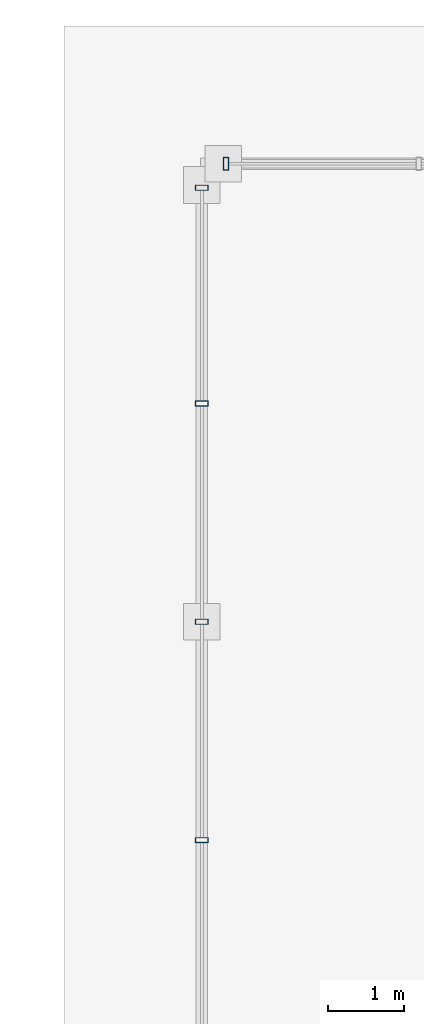
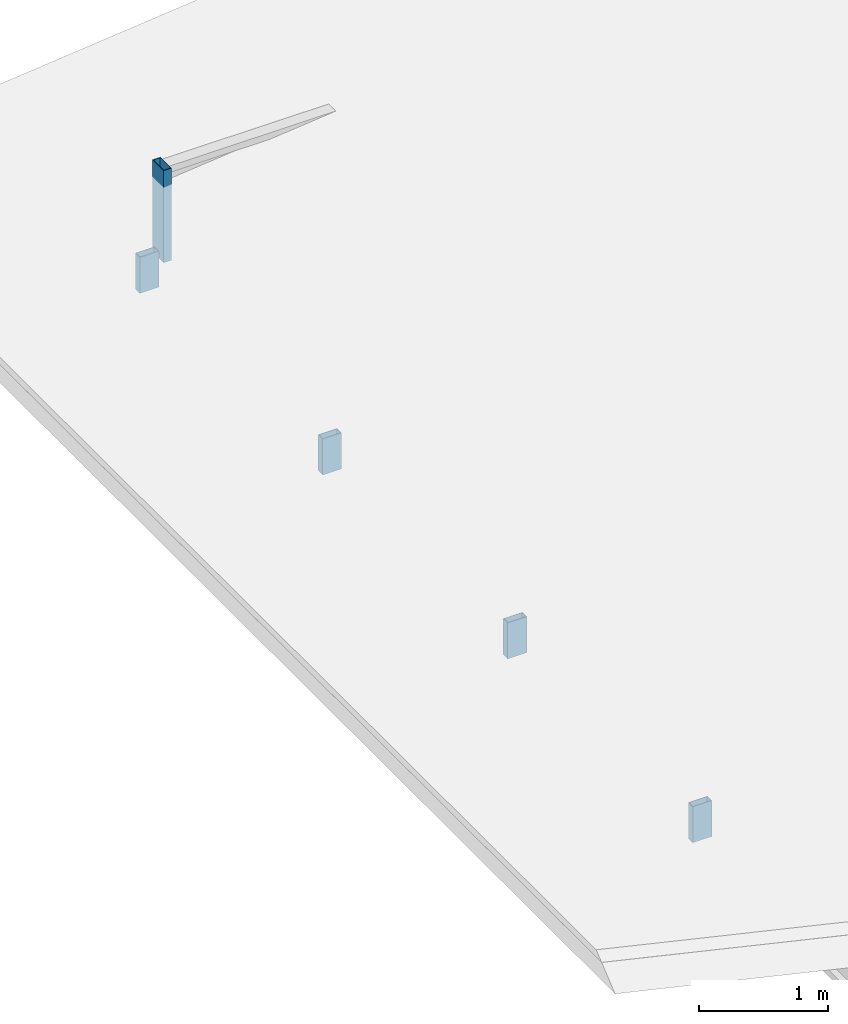
# One storey, part 78 of 117: 5 members, 2 elements without a shape of their own.
"""IFC4 building model written with IfcOpenShell, lengths in metres."""

import ifcopenshell
import ifcopenshell.guid

model = None  # the IFC model being written
_history = None  # IfcOwnerHistory: only IFC2X3 demands one
_inside = {}  # id of a spatial element -> (the spatial element, [elements in it])
_under = {}  # id of a project, library or spatial element -> (it, [spatial elements below it])
_declared = {}  # id of a project -> (the project, [libraries it declares])
_typed = {}  # id of a type object -> (the type object, [elements of that type])
_made_of = {}  # id of a material, layer set ... -> (it, [elements and type objects made of it])


def new_model(schema):
    """Start an empty IFC model of exactly this schema.

    Asked for "IFC4X3", IfcOpenShell would pick the latest addendum, in which some entities
    have other attributes; the version numbers below select the first issue.
    IFC2X3 requires an IfcOwnerHistory on every rooted entity: one is made here for all.
    """
    global model, _history
    if schema == "IFC4X3":
        model = ifcopenshell.file(schema_version=(4, 3, 0, 0))
    else:
        model = ifcopenshell.file(schema=schema)
    _inside.clear()
    _under.clear()
    _declared.clear()
    _typed.clear()
    _made_of.clear()
    _history = None
    if model.schema == "IFC2X3":
        org = make("IfcOrganization", Name="unknown")
        user = make(
            "IfcPersonAndOrganization",
            ThePerson=make("IfcPerson", FamilyName="unknown"),
            TheOrganization=org,
        )
        app = make(
            "IfcApplication",
            ApplicationDeveloper=org,
            Version="unknown",
            ApplicationFullName="unknown",
            ApplicationIdentifier="unknown",
        )
        _history = make(
            "IfcOwnerHistory",
            OwningUser=user,
            OwningApplication=app,
            ChangeAction="ADDED",
            CreationDate=0,
        )
    return model


def make(cls, **values):
    """One entity of the class cls with the attributes given. An attribute that is None is left unset."""
    return model.create_entity(
        cls, **{name: value for name, value in values.items() if value is not None}
    )


def rooted(cls, **values):
    """An entity with a GlobalId (a new one), such as an element, a storey or a relation."""
    return make(cls, GlobalId=ifcopenshell.guid.new(), OwnerHistory=_history, **values)


def si_unit(unit_type, name, prefix=None):
    """IfcSIUnit, for example si_unit("LENGTHUNIT", "METRE", prefix="MILLI")."""
    return make("IfcSIUnit", UnitType=unit_type, Prefix=prefix, Name=name)


def assignment(units):
    """IfcUnitAssignment: the units of a project."""
    return None if units is None else make("IfcUnitAssignment", Units=units)


def point(xyz):
    """IfcCartesianPoint."""
    return None if xyz is None else make("IfcCartesianPoint", Coordinates=xyz)


def direction(xyz):
    """IfcDirection."""
    return None if xyz is None else make("IfcDirection", DirectionRatios=xyz)


def frame(location, z_axis=None, x_axis=None):
    """IfcAxis2Placement3D, a coordinate frame: its origin and axes. An axis left out is left unset."""
    return make(
        "IfcAxis2Placement3D",
        Location=point(location),
        Axis=direction(z_axis),
        RefDirection=direction(x_axis),
    )


def frame_2d(location, x_axis=None):
    """IfcAxis2Placement2D, a coordinate frame in the plane: its origin and x axis."""
    return make(
        "IfcAxis2Placement2D", Location=point(location), RefDirection=direction(x_axis)
    )


def origin():
    """The frame at (0, 0, 0) with its axes left unset."""
    return frame((0.0, 0.0, 0.0))


def origin_2d():
    """The frame at (0, 0) in the plane with its x axis left unset."""
    return frame_2d((0.0, 0.0))


def place(relative_to, where):
    """IfcLocalPlacement: puts the frame where relative to a parent placement (None: the world)."""
    return make(
        "IfcLocalPlacement", PlacementRelTo=relative_to, RelativePlacement=where
    )


def context(
    kind, dimensions, precision=None, world=None, true_north=None, identifier=None
):
    """IfcGeometricRepresentationContext, for example the 3D "Model" context."""
    return make(
        "IfcGeometricRepresentationContext",
        ContextIdentifier=identifier,
        ContextType=kind,
        CoordinateSpaceDimension=dimensions,
        Precision=precision,
        WorldCoordinateSystem=world,
        TrueNorth=true_north,
    )


def subcontext(parent, identifier, kind, view, scale=None):
    """IfcGeometricRepresentationSubContext, for example "Body" below "Model"."""
    return make(
        "IfcGeometricRepresentationSubContext",
        ContextIdentifier=identifier,
        ContextType=kind,
        ParentContext=parent,
        TargetScale=scale,
        TargetView=view,
    )


def project(units=None, contexts=None):
    """IfcProject with its units and contexts."""
    return rooted(
        "IfcProject",
        Name="project",
        RepresentationContexts=contexts,
        UnitsInContext=assignment(units),
    )


def spatial(cls, under=None, at=None, **own):
    """A site, building, storey or space (cls), placed at a placement, below another one or the project."""
    s = rooted(cls, ObjectPlacement=at, **own)
    if under is not None:
        _under.setdefault(under.id(), (under, []))[1].append(s)
    return s


def profile(cls, at=None, kind="AREA", **sizes):
    """A parametric profile (cls). Its sizes go by their IFC names, for example OverallWidth=200.0."""
    return make(cls, ProfileType=kind, Position=at, **sizes)


def hollow_rectangle(**sizes):
    """IfcRectangleHollowProfileDef."""
    return profile("IfcRectangleHollowProfileDef", **sizes)


def extrude(swept, where, along, depth):
    """IfcExtrudedAreaSolid: the profile swept, set in the frame where, extruded along a direction by depth."""
    return make(
        "IfcExtrudedAreaSolid",
        SweptArea=swept,
        Position=where,
        ExtrudedDirection=direction(along),
        Depth=depth,
    )


def shape(context_of_items, identifier, shape_type, items):
    """IfcShapeRepresentation: the items that make up one representation, for example the "Body"."""
    return make(
        "IfcShapeRepresentation",
        ContextOfItems=context_of_items,
        RepresentationIdentifier=identifier,
        RepresentationType=shape_type,
        Items=items,
    )


def material(Name=None, Category=None):
    """IfcMaterial."""
    return make("IfcMaterial", Name=Name, Category=Category)


def material_profile(
    of_material, cross_section, Name=None, Category=None, Priority=None
):
    """IfcMaterialProfile: a cross section and its material."""
    return make(
        "IfcMaterialProfile",
        Name=Name,
        Material=of_material,
        Profile=cross_section,
        Priority=Priority,
        Category=Category,
    )


def profile_set(profiles, Name=None, composite=None):
    """IfcMaterialProfileSet."""
    return make(
        "IfcMaterialProfileSet",
        Name=Name,
        MaterialProfiles=profiles,
        CompositeProfile=composite,
    )


def made_of(thing, what):
    """Note that an element or type object is made of a material, layer set ...; save() writes the relation."""
    if what is not None:
        _made_of.setdefault(what.id(), (what, []))[1].append(thing)
    return thing


def type_object(cls, material=None, **own):
    """A type object (cls), such as IfcWallType, which elements share."""
    return made_of(rooted(cls, **own), material)


def element(
    cls,
    number,
    at=None,
    inside=None,
    cuts=None,
    type_object=None,
    material=None,
    context=None,
    identifier="Body",
    shape_type=None,
    held_by="IfcProductDefinitionShape",
    body=None,
    shapes=None,
    **own,
):
    """One element of the class cls, such as IfcWall. Its Tag is "e" and its number.

    at: its placement. inside: the storey or other place that contains it. cuts: it is an
    opening in that element (IfcRelVoidsElement). A single representation is given by context,
    identifier, shape_type and body (its items); several are given by shapes. held_by: the class
    of the entity that holds the representations. save() writes the other relations.
    """
    e = rooted(cls, Tag="e%d" % number, ObjectPlacement=at, **own)
    if body is not None:
        shapes = [shape(context, identifier, shape_type, body)]
    if shapes is not None:
        e.Representation = make(held_by, Representations=shapes)
    if inside is not None:
        _inside.setdefault(inside.id(), (inside, []))[1].append(e)
    if cuts is not None:
        rooted(
            "IfcRelVoidsElement", RelatingBuildingElement=cuts, RelatedOpeningElement=e
        )
    if type_object is not None:
        _typed.setdefault(type_object.id(), (type_object, []))[1].append(e)
    return made_of(e, material)


def aggregate(whole, parts):
    """IfcRelAggregates: a whole, such as a stair, and the parts it consists of."""
    return rooted("IfcRelAggregates", RelatingObject=whole, RelatedObjects=parts)


def save(model, path):
    """Write the relations noted so far, then the file.

    IfcRelAggregates (storeys below a building ...), IfcRelContainedInSpatialStructure (elements
    in a storey), IfcRelDefinesByType, IfcRelAssociatesMaterial and IfcRelDeclares: one each for
    every whole, place, type object, material and project.
    """
    for whole, parts in _under.values():
        aggregate(whole, parts)
    for where, things in _inside.values():
        rooted(
            "IfcRelContainedInSpatialStructure",
            RelatedElements=things,
            RelatingStructure=where,
        )
    for kind, things in _typed.values():
        rooted("IfcRelDefinesByType", RelatedObjects=things, RelatingType=kind)
    for what, things in _made_of.values():
        rooted("IfcRelAssociatesMaterial", RelatedObjects=things, RelatingMaterial=what)
    for by, libraries in _declared.values():
        rooted("IfcRelDeclares", RelatingContext=by, RelatedDefinitions=libraries)
    model.write(path)


model = new_model("IFC4")

# Units and contexts
model_context = context("Model", 3, precision=1e-05, world=origin(), true_north=direction((0.0, 1.0)))
body_context = subcontext(model_context, "Body", "Model", "MODEL_VIEW")
ifc_project = project(units=[si_unit("LENGTHUNIT", "METRE"), si_unit("AREAUNIT", "SQUARE_METRE"), si_unit("VOLUMEUNIT", "CUBIC_METRE"), si_unit("PLANEANGLEUNIT", "RADIAN"), si_unit("MASSUNIT", "GRAM", prefix="KILO")], contexts=[model_context])

# Site, building, storey
site_placement = place(None, origin())
site = spatial("IfcSite", under=ifc_project, at=site_placement, CompositionType="ELEMENT")
building_placement = place(site_placement, origin())
building = spatial("IfcBuilding", under=site, at=building_placement, Name="Merenkruunu Market Hall", CompositionType="ELEMENT")
storey_placement = place(building_placement, frame((0.0, 0.0, 22.800048828125)))
storey = spatial("IfcBuildingStorey", under=building, at=storey_placement, Name="RF", CompositionType="ELEMENT", Elevation=22.800048828125)

# Curtain wall, members
ifc_material = material(Name="Powder-coated aluminium", Category="aluminium")
curtain_wall_type_1 = type_object("IfcCurtainWallType", Name="Clerestory Curtain Band CL04", PredefinedType="USERDEFINED", material=ifc_material)
curtain_wall_1_placement = place(storey_placement, origin())
curtain_wall_1 = element("IfcCurtainWall", 1, at=curtain_wall_1_placement, inside=storey, type_object=curtain_wall_type_1, Name="CW-RF-CWM04-240", ObjectType="CLERESTORY_BAND", PredefinedType="USERDEFINED")
ifc_material_profile = material_profile(ifc_material, hollow_rectangle(XDim=0.070068359375, YDim=0.169921875, WallThickness=0.0048828125, at=origin_2d()), Name="ALU 70x170x5")
ifc_profile_set = profile_set([ifc_material_profile], Name="Powder-coated aluminium")
member_type = type_object("IfcMemberType", Name="Curtain Wall Mullion CWM04", PredefinedType="MULLION", material=ifc_profile_set)
member_1_placement = place(storey_placement, frame((159.60009765625, 18.739990234375, -1.719970703125), z_axis=(0.0, 0.0, 1.0), x_axis=(0.0, 1.0, 0.0)))
member_1 = element("IfcMember", 2, at=member_1_placement, type_object=member_type, Name="CL04 mullion 2", PredefinedType="MULLION", context=body_context, shape_type="SweptSolid", body=[
    extrude(hollow_rectangle(XDim=0.070068359375, YDim=0.169921875, WallThickness=0.0048828125, at=origin_2d()), origin(), (0.0, 0.0, 1.0), 0.33984375),
])
member_2_placement = place(storey_placement, frame((159.60009765625, 21.60009765625, -1.719970703125), z_axis=(0.0, 0.0, 1.0), x_axis=(0.0, 1.0, 0.0)))
member_2 = element("IfcMember", 3, at=member_2_placement, type_object=member_type, Name="CL04 mullion 3", PredefinedType="MULLION", context=body_context, shape_type="SweptSolid", body=[
    extrude(hollow_rectangle(XDim=0.070068359375, YDim=0.169921875, WallThickness=0.0048828125, at=origin_2d()), origin(), (0.0, 0.0, 1.0), 0.33984375),
])
member_3_placement = place(storey_placement, frame((159.60009765625, 24.4599609375, -1.719970703125), z_axis=(0.0, 0.0, 1.0), x_axis=(0.0, 1.0, 0.0)))
member_3 = element("IfcMember", 4, at=member_3_placement, type_object=member_type, Name="CL04 mullion 4", PredefinedType="MULLION", context=body_context, shape_type="SweptSolid", body=[
    extrude(hollow_rectangle(XDim=0.070068359375, YDim=0.169921875, WallThickness=0.0048828125, at=origin_2d()), origin(), (0.0, 0.0, 1.0), 0.33984375),
])
member_4_placement = place(storey_placement, frame((159.60009765625, 27.284912109375, -1.719970703125), z_axis=(0.0, 0.0, 1.0), x_axis=(0.0, 1.0, 0.0)))
member_4 = element("IfcMember", 5, at=member_4_placement, type_object=member_type, Name="CL04 mullion 5", PredefinedType="MULLION", context=body_context, shape_type="SweptSolid", body=[
    extrude(hollow_rectangle(XDim=0.070068359375, YDim=0.169921875, WallThickness=0.0048828125, at=origin_2d()), origin(), (0.0, 0.0, 1.0), 0.33984375),
])
aggregate(curtain_wall_1, [member_1, member_2, member_3, member_4])

# Curtain wall, member
curtain_wall_type_2 = type_object("IfcCurtainWallType", Name="Clerestory Curtain Band CL03", PredefinedType="USERDEFINED", material=ifc_material)
curtain_wall_2_placement = place(storey_placement, origin())
curtain_wall_2 = element("IfcCurtainWall", 6, at=curtain_wall_2_placement, inside=storey, type_object=curtain_wall_type_2, Name="CW-RF-CWM04-243", ObjectType="CLERESTORY_BAND", PredefinedType="USERDEFINED")
member_5_placement = place(storey_placement, frame((159.9150390625, 27.60009765625, -1.719970703125), z_axis=(0.0, 0.0, 1.0), x_axis=(1.0, 0.0, 0.0)))
member_5 = element("IfcMember", 7, at=member_5_placement, type_object=member_type, Name="CL03 mullion 1", PredefinedType="MULLION", context=body_context, shape_type="SweptSolid", body=[
    extrude(hollow_rectangle(XDim=0.070068359375, YDim=0.169921875, WallThickness=0.0048828125, at=origin_2d()), origin(), (0.0, 0.0, 1.0), 0.869873046875),
])
aggregate(curtain_wall_2, [member_5])

save(model, "model.ifc")
